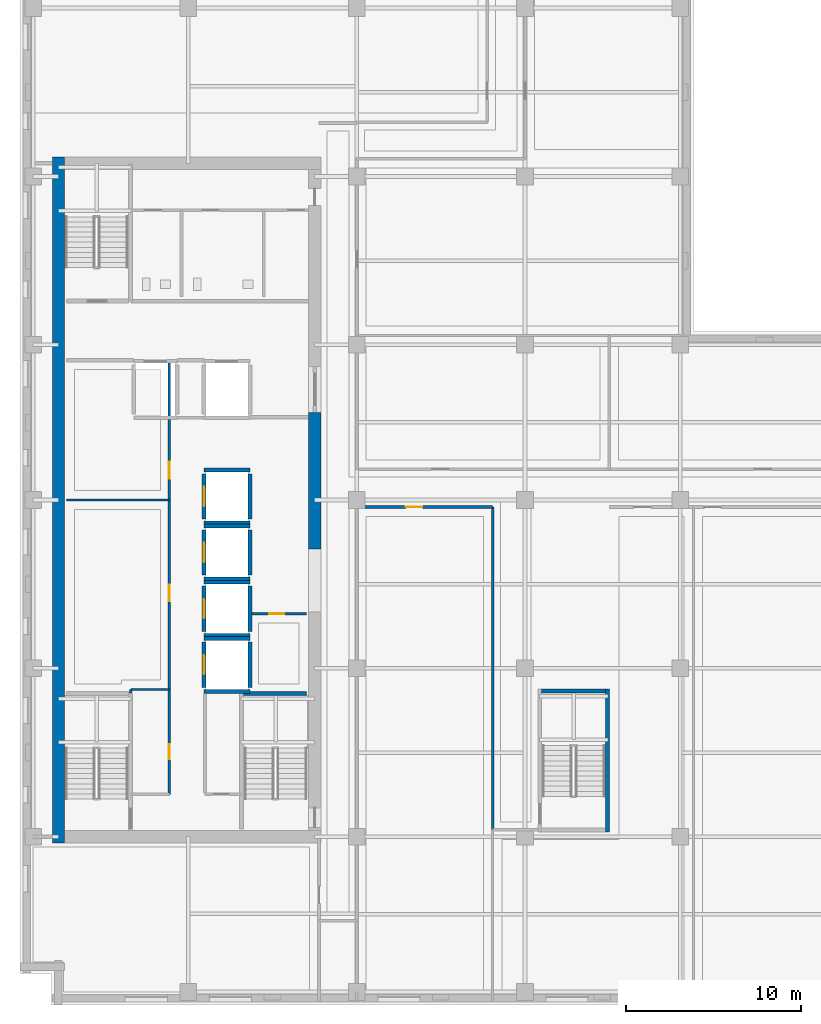
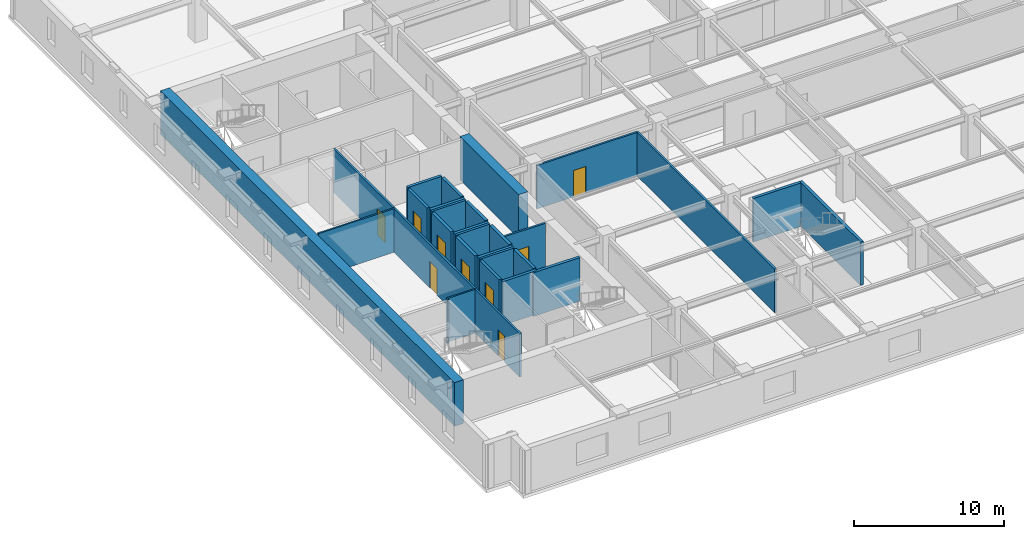
# One storey, part 4 of 12: 28 walls, 9 doors, 9 openings.
"""IFC4 building model written with IfcOpenShell, lengths in metres."""

from ifc_helpers import new_model, si_unit, direction, frame, frame_2d, origin, place, context, subcontext, project, spatial, rectangle, extrude, material, layer, layer_set, type_object, element, fill, save


model = new_model("IFC4")

# Units and contexts
model_context = context("Model", 3, precision=1e-05, world=origin(), true_north=direction((0.0, 1.0)))
body_context = subcontext(model_context, "Body", "Model", "MODEL_VIEW")
ifc_project = project(units=[si_unit("LENGTHUNIT", "METRE"), si_unit("AREAUNIT", "SQUARE_METRE"), si_unit("VOLUMEUNIT", "CUBIC_METRE"), si_unit("PLANEANGLEUNIT", "RADIAN"), si_unit("MASSUNIT", "GRAM", prefix="KILO")], contexts=[model_context])

# Site, building, storey
site_placement = place(None, origin())
site = spatial("IfcSite", under=ifc_project, at=site_placement, CompositionType="ELEMENT")
building_placement = place(site_placement, origin())
building = spatial("IfcBuilding", under=site, at=building_placement, Name="Norrvale University Quadrangle", CompositionType="ELEMENT")
storey_placement = place(building_placement, frame((0.0, 0.0, 182.60009765625)))
storey = spatial("IfcBuildingStorey", under=building, at=storey_placement, Name="L46", CompositionType="ELEMENT", Elevation=182.60009765625)

# Walls
ifc_material_1 = material(Name="Concrete C60/75", Category="concrete")
ifc_layer_1 = layer(ifc_material_1, 0.699951171875, Name="Concrete C60/75")
ifc_layer_set_1 = layer_set([ifc_layer_1], Name="Concrete C60/75")
wall_type_1 = type_object("IfcWallType", Name="Wall Core 700", PredefinedType="SHEAR", material=ifc_layer_set_1)
wall_1_placement = place(storey_placement, frame((2.199951171875, 9.25, 0.0), z_axis=(0.0, 0.0, 1.0), x_axis=(0.0, 1.0, 0.0)))
element("IfcWall", 1, at=wall_1_placement, inside=storey, type_object=wall_type_1, Name="Tower Core Shear Wall L46-W", PredefinedType="SHEAR", context=body_context, shape_type="SweptSolid", body=[
    extrude(rectangle(XDim=39.10009765625, YDim=0.699951171875, at=frame_2d((19.550048828125, 0.0))), origin(), (0.0, 0.0, 1.0), 3.539794921875),
])
wall_2_placement = place(storey_placement, frame((16.800048828125, 26.0, 0.0), z_axis=(0.0, 0.0, 1.0), x_axis=(0.0, 1.0, 0.0)))
element("IfcWall", 2, at=wall_2_placement, inside=storey, type_object=wall_type_1, Name="Tower Core Shear Wall L46-E2", PredefinedType="SHEAR", context=body_context, shape_type="SweptSolid", body=[
    extrude(rectangle(XDim=7.800048828125, YDim=0.699951171875, at=frame_2d((3.89990234375, 0.0))), origin(), (0.0, 0.0, 1.0), 3.539794921875),
])
ifc_material_2 = material(Name="Standard Academic Gypsum Partition")
ifc_layer_2 = layer(ifc_material_2, 0.125, Name="Standard Academic Gypsum Partition")
ifc_layer_set_2 = layer_set([ifc_layer_2], Name="Standard Academic Gypsum Partition")
wall_type_2 = type_object("IfcWallType", Name="Wall Gypsum Academic 125", PredefinedType="PARTITIONING", material=ifc_layer_set_2)
wall_3_placement = place(storey_placement, frame((6.320068359375, 17.800048828125, 0.0), z_axis=(0.0, 0.0, 1.0), x_axis=(0.0, 1.0, 0.0)))
element("IfcWall", 3, at=wall_3_placement, inside=storey, type_object=wall_type_2, Name="Interior Partition WL-L46-REC-L1", PredefinedType="PARTITIONING", context=body_context, shape_type="SweptSolid", body=[
    extrude(rectangle(XDim=0.199951171875, YDim=0.125, at=frame_2d((0.10009765625, 0.0))), origin(), (0.0, 0.0, 1.0), 3.539794921875),
])
wall_4_placement = place(storey_placement, frame((6.320068359375, 18.0, 0.0), z_axis=(0.0, 0.0, 1.0), x_axis=(1.0, 0.0, 0.0)))
element("IfcWall", 4, at=wall_4_placement, inside=storey, type_object=wall_type_2, Name="Interior Partition WL-L46-REC-L2", PredefinedType="PARTITIONING", context=body_context, shape_type="SweptSolid", body=[
    extrude(rectangle(XDim=2.199951171875, YDim=0.125, at=frame_2d((1.10009765625, 0.0))), origin(), (0.0, 0.0, 1.0), 3.539794921875),
])
wall_5_placement = place(storey_placement, frame((2.64990234375, 28.800048828125, 0.0), z_axis=(0.0, 0.0, 1.0), x_axis=(1.0, 0.0, 0.0)))
element("IfcWall", 5, at=wall_5_placement, inside=storey, type_object=wall_type_2, Name="Interior Partition WL-L46-REC-M2", PredefinedType="PARTITIONING", context=body_context, shape_type="SweptSolid", body=[
    extrude(rectangle(XDim=5.8701171875, YDim=0.125, at=frame_2d((2.93505859375, 0.0))), origin(), (0.0, 0.0, 1.0), 3.539794921875),
])

# Wall, opening, door
ifc_material_3 = material(Name="Fire-Rated Gypsum Stud Partition")
ifc_layer_3 = layer(ifc_material_3, 0.14990234375, Name="Fire-Rated Gypsum Stud Partition")
ifc_layer_set_3 = layer_set([ifc_layer_3], Name="Fire-Rated Gypsum Stud Partition")
wall_type_3 = type_object("IfcWallType", Name="Wall Gypsum Corridor 150", PredefinedType="PARTITIONING", material=ifc_layer_set_3)
wall_6_placement = place(storey_placement, frame((13.22509765625, 22.320068359375, 0.0), z_axis=(0.0, 0.0, 1.0), x_axis=(1.0, 0.0, 0.0)))
wall_6 = element("IfcWall", 6, at=wall_6_placement, inside=storey, type_object=wall_type_3, Name="Interior Partition WL-L46-JAN-N", PredefinedType="PARTITIONING", context=body_context, shape_type="SweptSolid", body=[
    extrude(rectangle(XDim=3.119873046875, YDim=0.14990234375, at=frame_2d((1.56005859375, 0.0))), origin(), (0.0, 0.0, 1.0), 3.539794921875),
])
opening_1_placement = place(wall_6_placement, frame((1.0, 0.0, 0.0)))
opening_1 = element("IfcOpeningElement", 7, at=opening_1_placement, cuts=wall_6, Name="Opening D10", PredefinedType="OPENING", context=body_context, shape_type="SweptSolid", body=[
    extrude(rectangle(XDim=0.85009765625, YDim=2.10009765625, at=frame_2d((0.425048828125, 1.050048828125))), frame((0.0, 0.0869140625, 0.0), z_axis=(0.0, -1.0, 0.0), x_axis=(1.0, 0.0, 0.0)), (0.0, 0.0, 1.0), 0.173828125),
])
ifc_material_4 = material(Name="Hollow Steel 350W Riser Fire Door", Category="steel")
door_type_1 = type_object("IfcDoorType", Name="Door Riser 850x2100", OperationType="NOTDEFINED", PredefinedType="DOOR", material=ifc_material_4)
door_1_placement = place(opening_1_placement, origin())
door_1 = element("IfcDoor", 8, at=door_1_placement, inside=storey, type_object=door_type_1, Name="Door Riser 850x2100 DR-L46-JAN", OperationType="SINGLE_SWING_LEFT", OverallHeight=2.10009765625, OverallWidth=0.85009765625, PredefinedType="DOOR", context=body_context, shape_type="SweptSolid", body=[
    extrude(rectangle(XDim=0.85009765625, YDim=2.10009765625, at=frame_2d((0.425048828125, 1.050048828125))), frame((0.0, 0.02490234375, 0.0), z_axis=(0.0, -1.0, 0.0), x_axis=(1.0, 0.0, 0.0)), (0.0, 0.0, 1.0), 0.050048828125),
])
fill(opening_1, door_1)

# Wall, openings, doors
wall_7_placement = place(storey_placement, frame((8.52001953125, 12.02001953125, 0.0), z_axis=(0.0, 0.0, 1.0), x_axis=(0.0, 1.0, 0.0)))
wall_7 = element("IfcWall", 9, at=wall_7_placement, inside=storey, type_object=wall_type_3, Name="Interior Partition WL-L46-REC-E", PredefinedType="PARTITIONING", context=body_context, shape_type="SweptSolid", body=[
    extrude(rectangle(XDim=24.760009765625, YDim=0.14990234375, at=frame_2d((12.3798828125, 0.0))), origin(), (0.0, 0.0, 1.0), 3.539794921875),
])
opening_2_placement = place(wall_7_placement, frame((2.0, 0.0, 0.0)))
opening_2 = element("IfcOpeningElement", 10, at=opening_2_placement, cuts=wall_7, Name="Opening D10", PredefinedType="OPENING", context=body_context, shape_type="SweptSolid", body=[
    extrude(rectangle(XDim=0.85009765625, YDim=2.10009765625, at=frame_2d((0.425048828125, 1.050048828125))), frame((0.0, 0.0869140625, 0.0), z_axis=(0.0, -1.0, 0.0), x_axis=(1.0, 0.0, 0.0)), (0.0, 0.0, 1.0), 0.173828125),
])
opening_3_placement = place(wall_7_placement, frame((11.0, 0.0, 0.0)))
opening_3 = element("IfcOpeningElement", 11, at=opening_3_placement, cuts=wall_7, Name="Opening D07", PredefinedType="OPENING", context=body_context, shape_type="SweptSolid", body=[
    extrude(rectangle(XDim=0.949951171875, YDim=2.14990234375, at=frame_2d((0.47509765625, 1.074951171875))), frame((0.0, 0.0869140625, 0.0), z_axis=(0.0, -1.0, 0.0), x_axis=(1.0, 0.0, 0.0)), (0.0, 0.0, 1.0), 0.173828125),
])
opening_4_placement = place(wall_7_placement, frame((18.0, 0.0, 0.0)))
opening_4 = element("IfcOpeningElement", 12, at=opening_4_placement, cuts=wall_7, Name="Opening D07", PredefinedType="OPENING", context=body_context, shape_type="SweptSolid", body=[
    extrude(rectangle(XDim=0.949951171875, YDim=2.14990234375, at=frame_2d((0.47509765625, 1.074951171875))), frame((0.0, 0.0869140625, 0.0), z_axis=(0.0, -1.0, 0.0), x_axis=(1.0, 0.0, 0.0)), (0.0, 0.0, 1.0), 0.173828125),
])
ifc_material_5 = material(Name="Solid-Core Maple Door", Category="wood")
door_type_2 = type_object("IfcDoorType", Name="Door Office 950x2150", OperationType="NOTDEFINED", PredefinedType="DOOR", material=ifc_material_5)
door_2_placement = place(opening_3_placement, origin())
door_2 = element("IfcDoor", 13, at=door_2_placement, inside=storey, type_object=door_type_2, Name="Door Office 950x2150 DR-L46-REC2", OperationType="SINGLE_SWING_RIGHT", OverallHeight=2.14990234375, OverallWidth=0.949951171875, PredefinedType="DOOR", context=body_context, shape_type="SweptSolid", body=[
    extrude(rectangle(XDim=0.949951171875, YDim=2.14990234375, at=frame_2d((0.47509765625, 1.074951171875))), frame((0.0, 0.02490234375, 0.0), z_axis=(0.0, -1.0, 0.0), x_axis=(1.0, 0.0, 0.0)), (0.0, 0.0, 1.0), 0.050048828125),
])
fill(opening_3, door_2)
door_3_placement = place(opening_4_placement, origin())
door_3 = element("IfcDoor", 14, at=door_3_placement, inside=storey, type_object=door_type_2, Name="Door Office 950x2150 DR-L46-REC3", OperationType="SINGLE_SWING_LEFT", OverallHeight=2.14990234375, OverallWidth=0.949951171875, PredefinedType="DOOR", context=body_context, shape_type="SweptSolid", body=[
    extrude(rectangle(XDim=0.949951171875, YDim=2.14990234375, at=frame_2d((0.47509765625, 1.074951171875))), frame((0.0, 0.02490234375, 0.0), z_axis=(0.0, -1.0, 0.0), x_axis=(1.0, 0.0, 0.0)), (0.0, 0.0, 1.0), 0.050048828125),
])
fill(opening_4, door_3)
door_4_placement = place(opening_2_placement, origin())
door_4 = element("IfcDoor", 15, at=door_4_placement, inside=storey, type_object=door_type_1, Name="Door Riser 850x2100 DR-L46-REC1", OperationType="SINGLE_SWING_LEFT", OverallHeight=2.10009765625, OverallWidth=0.85009765625, PredefinedType="DOOR", context=body_context, shape_type="SweptSolid", body=[
    extrude(rectangle(XDim=0.85009765625, YDim=2.10009765625, at=frame_2d((0.425048828125, 1.050048828125))), frame((0.0, 0.02490234375, 0.0), z_axis=(0.0, -1.0, 0.0), x_axis=(1.0, 0.0, 0.0)), (0.0, 0.0, 1.0), 0.050048828125),
])
fill(opening_2, door_4)

# Wall, opening, door
wall_8_placement = place(storey_placement, frame((19.199951171875, 28.39990234375, 0.0), z_axis=(0.0, 0.0, 1.0), x_axis=(1.0, 0.0, 0.0)))
wall_8 = element("IfcWall", 16, at=wall_8_placement, inside=storey, type_object=wall_type_3, Name="Interior Partition WL-L46-SEW1", PredefinedType="PARTITIONING", context=body_context, shape_type="SweptSolid", body=[
    extrude(rectangle(XDim=7.75, YDim=0.14990234375, at=frame_2d((3.875, 0.0))), origin(), (0.0, 0.0, 1.0), 3.539794921875),
])
opening_5_placement = place(wall_8_placement, frame((2.800048828125, 0.0, 0.0)))
opening_5 = element("IfcOpeningElement", 17, at=opening_5_placement, cuts=wall_8, Name="Opening D07", PredefinedType="OPENING", context=body_context, shape_type="SweptSolid", body=[
    extrude(rectangle(XDim=0.949951171875, YDim=2.14990234375, at=frame_2d((0.47509765625, 1.074951171875))), frame((0.0, 0.0869140625, 0.0), z_axis=(0.0, -1.0, 0.0), x_axis=(1.0, 0.0, 0.0)), (0.0, 0.0, 1.0), 0.173828125),
])
door_5_placement = place(opening_5_placement, origin())
door_5 = element("IfcDoor", 18, at=door_5_placement, inside=storey, type_object=door_type_2, Name="Door Office 950x2150 DR-L46-SE1", OperationType="SINGLE_SWING_LEFT", OverallHeight=2.14990234375, OverallWidth=0.949951171875, PredefinedType="DOOR", context=body_context, shape_type="SweptSolid", body=[
    extrude(rectangle(XDim=0.949951171875, YDim=2.14990234375, at=frame_2d((0.47509765625, 1.074951171875))), frame((0.0, 0.02490234375, 0.0), z_axis=(0.0, -1.0, 0.0), x_axis=(1.0, 0.0, 0.0)), (0.0, 0.0, 1.0), 0.050048828125),
])
fill(opening_5, door_5)

# Walls
wall_9_placement = place(storey_placement, frame((26.949951171875, 10.0, 0.0), z_axis=(0.0, 0.0, 1.0), x_axis=(0.0, 1.0, 0.0)))
element("IfcWall", 19, at=wall_9_placement, inside=storey, type_object=wall_type_3, Name="Interior Partition WL-L46-SEP1B", PredefinedType="PARTITIONING", context=body_context, shape_type="SweptSolid", body=[
    extrude(rectangle(XDim=18.39990234375, YDim=0.14990234375, at=frame_2d((9.199951171875, 0.0))), origin(), (0.0, 0.0, 1.0), 3.539794921875),
])
ifc_material_6 = material(Name="Concrete Blockwork 20 MPa Fire Shaft", Category="masonry")
ifc_layer_4 = layer(ifc_material_6, 0.219970703125, Name="Concrete Blockwork 20 MPa Fire Shaft")
ifc_layer_set_4 = layer_set([ifc_layer_4], Name="Concrete Blockwork 20 MPa Fire Shaft")
wall_type_4 = type_object("IfcWallType", Name="Wall Shaft 220", PredefinedType="SOLIDWALL", material=ifc_layer_set_4)
wall_10_placement = place(storey_placement, frame((12.75, 17.760009765625, 0.0), z_axis=(0.0, 0.0, 1.0), x_axis=(1.0, 0.0, 0.0)))
element("IfcWall", 20, at=wall_10_placement, inside=storey, type_object=wall_type_4, Name="Stair ST-03 North Shaft Wall L46", PredefinedType="SOLIDWALL", context=body_context, shape_type="SweptSolid", body=[
    extrude(rectangle(XDim=3.60009765625, YDim=0.219970703125, at=frame_2d((1.800048828125, 0.0))), origin(), (0.0, 0.0, 1.0), 3.539794921875),
])
wall_11_placement = place(storey_placement, frame((33.510009765625, 9.8798828125, 0.0), z_axis=(0.0, 0.0, 1.0), x_axis=(0.0, 1.0, 0.0)))
element("IfcWall", 21, at=wall_11_placement, inside=storey, type_object=wall_type_4, Name="Stair ST-04 East Shaft Wall L46", PredefinedType="SOLIDWALL", context=body_context, shape_type="SweptSolid", body=[
    extrude(rectangle(XDim=8.14013671875, YDim=0.219970703125, at=frame_2d((4.070068359375, 0.0))), origin(), (0.0, 0.0, 1.0), 3.539794921875),
])
wall_12_placement = place(storey_placement, frame((29.75, 17.909912109375, 0.0), z_axis=(0.0, 0.0, 1.0), x_axis=(1.0, 0.0, 0.0)))
element("IfcWall", 22, at=wall_12_placement, inside=storey, type_object=wall_type_4, Name="Stair ST-04 North Shaft Wall L46", PredefinedType="SOLIDWALL", context=body_context, shape_type="SweptSolid", body=[
    extrude(rectangle(XDim=3.64990234375, YDim=0.219970703125, at=frame_2d((1.824951171875, 0.0))), origin(), (0.0, 0.0, 1.0), 3.539794921875),
])

# Wall, opening, door
wall_13_placement = place(storey_placement, frame((10.489990234375, 18.110107421875, 0.0), z_axis=(0.0, 0.0, 1.0), x_axis=(0.0, 1.0, 0.0)))
wall_13 = element("IfcWall", 23, at=wall_13_placement, inside=storey, type_object=wall_type_4, Name="Hoistway PL-05 West Wall L46", PredefinedType="SOLIDWALL", context=body_context, shape_type="SweptSolid", body=[
    extrude(rectangle(XDim=2.579833984375, YDim=0.219970703125, at=frame_2d((1.2900390625, 0.0))), origin(), (0.0, 0.0, 1.0), 3.539794921875),
])
opening_6_placement = place(wall_13_placement, frame((0.739990234375, 0.0, 0.0)))
opening_6 = element("IfcOpeningElement", 24, at=opening_6_placement, cuts=wall_13, Name="Opening LD1", PredefinedType="OPENING", context=body_context, shape_type="SweptSolid", body=[
    extrude(rectangle(XDim=1.10009765625, YDim=2.199951171875, at=frame_2d((0.550048828125, 1.10009765625))), frame((0.0, 0.1220703125, 0.0), z_axis=(0.0, -1.0, 0.0), x_axis=(1.0, 0.0, 0.0)), (0.0, 0.0, 1.0), 0.243896484375),
])
ifc_material_7 = material(Name="Stainless Steel 316L Lift Landing Door", Category="steel")
door_type_3 = type_object("IfcDoorType", Name="Door Lift Landing 1100x2200", OperationType="DOUBLE_DOOR_SLIDING", PredefinedType="DOOR", material=ifc_material_7)
door_6_placement = place(opening_6_placement, origin())
door_6 = element("IfcDoor", 25, at=door_6_placement, inside=storey, type_object=door_type_3, Name="Elevator Landing Door DR-L46-PL-05", OperationType="DOUBLE_DOOR_SLIDING", OverallHeight=2.199951171875, OverallWidth=1.10009765625, PredefinedType="DOOR", context=body_context, shape_type="SweptSolid", body=[
    extrude(rectangle(XDim=1.10009765625, YDim=2.199951171875, at=frame_2d((0.550048828125, 1.10009765625))), frame((0.0, 0.02490234375, 0.0), z_axis=(0.0, -1.0, 0.0), x_axis=(1.0, 0.0, 0.0)), (0.0, 0.0, 1.0), 0.050048828125),
])
fill(opening_6, door_6)

# Walls
wall_14_placement = place(storey_placement, frame((13.110107421875, 18.110107421875, 0.0), z_axis=(0.0, 0.0, 1.0), x_axis=(0.0, 1.0, 0.0)))
element("IfcWall", 26, at=wall_14_placement, inside=storey, type_object=wall_type_4, Name="Hoistway PL-05 East Wall L46", PredefinedType="SOLIDWALL", context=body_context, shape_type="SweptSolid", body=[
    extrude(rectangle(XDim=2.579833984375, YDim=0.219970703125, at=frame_2d((1.2900390625, 0.0))), origin(), (0.0, 0.0, 1.0), 3.539794921875),
])
for number, where, z_axis, x_axis, name in (
    (27, (10.489990234375, 17.889892578125, 0.0), (0.0, 0.0, 1.0), (1.0, 0.0, 0.0), "Hoistway PL-05 South Wall L46"),
    (28, (10.489990234375, 20.909912109375, 0.0), (0.0, 0.0, 1.0), (1.0, 0.0, 0.0), "Hoistway PL-05 North Wall L46"),
):
    element("IfcWall", number, at=place(storey_placement, frame(where, z_axis=z_axis, x_axis=x_axis)), inside=storey, type_object=wall_type_4, Name=name, PredefinedType="SOLIDWALL", context=body_context, shape_type="SweptSolid", body=[
        extrude(rectangle(XDim=2.6201171875, YDim=0.219970703125, at=frame_2d((1.31005859375, 0.0))), origin(), (0.0, 0.0, 1.0), 3.539794921875),
    ])

# Wall, opening, door
wall_15_placement = place(storey_placement, frame((10.489990234375, 21.31005859375, 0.0), z_axis=(0.0, 0.0, 1.0), x_axis=(0.0, 1.0, 0.0)))
wall_15 = element("IfcWall", 29, at=wall_15_placement, inside=storey, type_object=wall_type_4, Name="Hoistway PL-06 West Wall L46", PredefinedType="SOLIDWALL", context=body_context, shape_type="SweptSolid", body=[
    extrude(rectangle(XDim=2.579833984375, YDim=0.219970703125, at=frame_2d((1.2900390625, 0.0))), origin(), (0.0, 0.0, 1.0), 3.539794921875),
])
opening_7_placement = place(wall_15_placement, frame((0.739990234375, 0.0, 0.0)))
opening_7 = element("IfcOpeningElement", 30, at=opening_7_placement, cuts=wall_15, Name="Opening LD1", PredefinedType="OPENING", context=body_context, shape_type="SweptSolid", body=[
    extrude(rectangle(XDim=1.10009765625, YDim=2.199951171875, at=frame_2d((0.550048828125, 1.10009765625))), frame((0.0, 0.1220703125, 0.0), z_axis=(0.0, -1.0, 0.0), x_axis=(1.0, 0.0, 0.0)), (0.0, 0.0, 1.0), 0.243896484375),
])
door_7_placement = place(opening_7_placement, origin())
door_7 = element("IfcDoor", 31, at=door_7_placement, inside=storey, type_object=door_type_3, Name="Elevator Landing Door DR-L46-PL-06", OperationType="DOUBLE_DOOR_SLIDING", OverallHeight=2.199951171875, OverallWidth=1.10009765625, PredefinedType="DOOR", context=body_context, shape_type="SweptSolid", body=[
    extrude(rectangle(XDim=1.10009765625, YDim=2.199951171875, at=frame_2d((0.550048828125, 1.10009765625))), frame((0.0, 0.02490234375, 0.0), z_axis=(0.0, -1.0, 0.0), x_axis=(1.0, 0.0, 0.0)), (0.0, 0.0, 1.0), 0.050048828125),
])
fill(opening_7, door_7)

# Walls
wall_16_placement = place(storey_placement, frame((13.110107421875, 21.31005859375, 0.0), z_axis=(0.0, 0.0, 1.0), x_axis=(0.0, 1.0, 0.0)))
element("IfcWall", 32, at=wall_16_placement, inside=storey, type_object=wall_type_4, Name="Hoistway PL-06 East Wall L46", PredefinedType="SOLIDWALL", context=body_context, shape_type="SweptSolid", body=[
    extrude(rectangle(XDim=2.579833984375, YDim=0.219970703125, at=frame_2d((1.2900390625, 0.0))), origin(), (0.0, 0.0, 1.0), 3.539794921875),
])
for number, where, z_axis, x_axis, name in (
    (33, (10.489990234375, 21.090087890625, 0.0), (0.0, 0.0, 1.0), (1.0, 0.0, 0.0), "Hoistway PL-06 South Wall L46"),
    (34, (10.489990234375, 24.110107421875, 0.0), (0.0, 0.0, 1.0), (1.0, 0.0, 0.0), "Hoistway PL-06 North Wall L46"),
):
    element("IfcWall", number, at=place(storey_placement, frame(where, z_axis=z_axis, x_axis=x_axis)), inside=storey, type_object=wall_type_4, Name=name, PredefinedType="SOLIDWALL", context=body_context, shape_type="SweptSolid", body=[
        extrude(rectangle(XDim=2.6201171875, YDim=0.219970703125, at=frame_2d((1.31005859375, 0.0))), origin(), (0.0, 0.0, 1.0), 3.539794921875),
    ])

# Wall, opening, door
wall_17_placement = place(storey_placement, frame((10.489990234375, 24.510009765625, 0.0), z_axis=(0.0, 0.0, 1.0), x_axis=(0.0, 1.0, 0.0)))
wall_17 = element("IfcWall", 35, at=wall_17_placement, inside=storey, type_object=wall_type_4, Name="Hoistway PL-07 West Wall L46", PredefinedType="SOLIDWALL", context=body_context, shape_type="SweptSolid", body=[
    extrude(rectangle(XDim=2.580078125, YDim=0.219970703125, at=frame_2d((1.2900390625, 0.0))), origin(), (0.0, 0.0, 1.0), 3.539794921875),
])
opening_8_placement = place(wall_17_placement, frame((0.739990234375, 0.0, 0.0)))
opening_8 = element("IfcOpeningElement", 36, at=opening_8_placement, cuts=wall_17, Name="Opening LD1", PredefinedType="OPENING", context=body_context, shape_type="SweptSolid", body=[
    extrude(rectangle(XDim=1.10009765625, YDim=2.199951171875, at=frame_2d((0.550048828125, 1.10009765625))), frame((0.0, 0.1220703125, 0.0), z_axis=(0.0, -1.0, 0.0), x_axis=(1.0, 0.0, 0.0)), (0.0, 0.0, 1.0), 0.243896484375),
])
door_8_placement = place(opening_8_placement, origin())
door_8 = element("IfcDoor", 37, at=door_8_placement, inside=storey, type_object=door_type_3, Name="Elevator Landing Door DR-L46-PL-07", OperationType="DOUBLE_DOOR_SLIDING", OverallHeight=2.199951171875, OverallWidth=1.10009765625, PredefinedType="DOOR", context=body_context, shape_type="SweptSolid", body=[
    extrude(rectangle(XDim=1.10009765625, YDim=2.199951171875, at=frame_2d((0.550048828125, 1.10009765625))), frame((0.0, 0.02490234375, 0.0), z_axis=(0.0, -1.0, 0.0), x_axis=(1.0, 0.0, 0.0)), (0.0, 0.0, 1.0), 0.050048828125),
])
fill(opening_8, door_8)

# Walls
wall_18_placement = place(storey_placement, frame((13.110107421875, 24.510009765625, 0.0), z_axis=(0.0, 0.0, 1.0), x_axis=(0.0, 1.0, 0.0)))
element("IfcWall", 38, at=wall_18_placement, inside=storey, type_object=wall_type_4, Name="Hoistway PL-07 East Wall L46", PredefinedType="SOLIDWALL", context=body_context, shape_type="SweptSolid", body=[
    extrude(rectangle(XDim=2.580078125, YDim=0.219970703125, at=frame_2d((1.2900390625, 0.0))), origin(), (0.0, 0.0, 1.0), 3.539794921875),
])
for number, where, z_axis, x_axis, name in (
    (39, (10.489990234375, 24.2900390625, 0.0), (0.0, 0.0, 1.0), (1.0, 0.0, 0.0), "Hoistway PL-07 South Wall L46"),
    (40, (10.489990234375, 27.31005859375, 0.0), (0.0, 0.0, 1.0), (1.0, 0.0, 0.0), "Hoistway PL-07 North Wall L46"),
):
    element("IfcWall", number, at=place(storey_placement, frame(where, z_axis=z_axis, x_axis=x_axis)), inside=storey, type_object=wall_type_4, Name=name, PredefinedType="SOLIDWALL", context=body_context, shape_type="SweptSolid", body=[
        extrude(rectangle(XDim=2.6201171875, YDim=0.219970703125, at=frame_2d((1.31005859375, 0.0))), origin(), (0.0, 0.0, 1.0), 3.539794921875),
    ])

# Wall, opening, door
wall_19_placement = place(storey_placement, frame((10.489990234375, 27.7099609375, 0.0), z_axis=(0.0, 0.0, 1.0), x_axis=(0.0, 1.0, 0.0)))
wall_19 = element("IfcWall", 41, at=wall_19_placement, inside=storey, type_object=wall_type_4, Name="Hoistway PL-08 West Wall L46", PredefinedType="SOLIDWALL", context=body_context, shape_type="SweptSolid", body=[
    extrude(rectangle(XDim=2.580078125, YDim=0.219970703125, at=frame_2d((1.2900390625, 0.0))), origin(), (0.0, 0.0, 1.0), 3.539794921875),
])
opening_9_placement = place(wall_19_placement, frame((0.739990234375, 0.0, 0.0)))
opening_9 = element("IfcOpeningElement", 42, at=opening_9_placement, cuts=wall_19, Name="Opening LD1", PredefinedType="OPENING", context=body_context, shape_type="SweptSolid", body=[
    extrude(rectangle(XDim=1.10009765625, YDim=2.199951171875, at=frame_2d((0.550048828125, 1.10009765625))), frame((0.0, 0.1220703125, 0.0), z_axis=(0.0, -1.0, 0.0), x_axis=(1.0, 0.0, 0.0)), (0.0, 0.0, 1.0), 0.243896484375),
])
door_9_placement = place(opening_9_placement, origin())
door_9 = element("IfcDoor", 43, at=door_9_placement, inside=storey, type_object=door_type_3, Name="Elevator Landing Door DR-L46-PL-08", OperationType="DOUBLE_DOOR_SLIDING", OverallHeight=2.199951171875, OverallWidth=1.10009765625, PredefinedType="DOOR", context=body_context, shape_type="SweptSolid", body=[
    extrude(rectangle(XDim=1.10009765625, YDim=2.199951171875, at=frame_2d((0.550048828125, 1.10009765625))), frame((0.0, 0.02490234375, 0.0), z_axis=(0.0, -1.0, 0.0), x_axis=(1.0, 0.0, 0.0)), (0.0, 0.0, 1.0), 0.050048828125),
])
fill(opening_9, door_9)

# Walls
wall_20_placement = place(storey_placement, frame((13.110107421875, 27.7099609375, 0.0), z_axis=(0.0, 0.0, 1.0), x_axis=(0.0, 1.0, 0.0)))
element("IfcWall", 44, at=wall_20_placement, inside=storey, type_object=wall_type_4, Name="Hoistway PL-08 East Wall L46", PredefinedType="SOLIDWALL", context=body_context, shape_type="SweptSolid", body=[
    extrude(rectangle(XDim=2.580078125, YDim=0.219970703125, at=frame_2d((1.2900390625, 0.0))), origin(), (0.0, 0.0, 1.0), 3.539794921875),
])
for number, where, z_axis, x_axis, name in (
    (45, (10.489990234375, 27.489990234375, 0.0), (0.0, 0.0, 1.0), (1.0, 0.0, 0.0), "Hoistway PL-08 South Wall L46"),
    (46, (10.489990234375, 30.510009765625, 0.0), (0.0, 0.0, 1.0), (1.0, 0.0, 0.0), "Hoistway PL-08 North Wall L46"),
):
    element("IfcWall", number, at=place(storey_placement, frame(where, z_axis=z_axis, x_axis=x_axis)), inside=storey, type_object=wall_type_4, Name=name, PredefinedType="SOLIDWALL", context=body_context, shape_type="SweptSolid", body=[
        extrude(rectangle(XDim=2.6201171875, YDim=0.219970703125, at=frame_2d((1.31005859375, 0.0))), origin(), (0.0, 0.0, 1.0), 3.539794921875),
    ])

save(model, "model.ifc")
